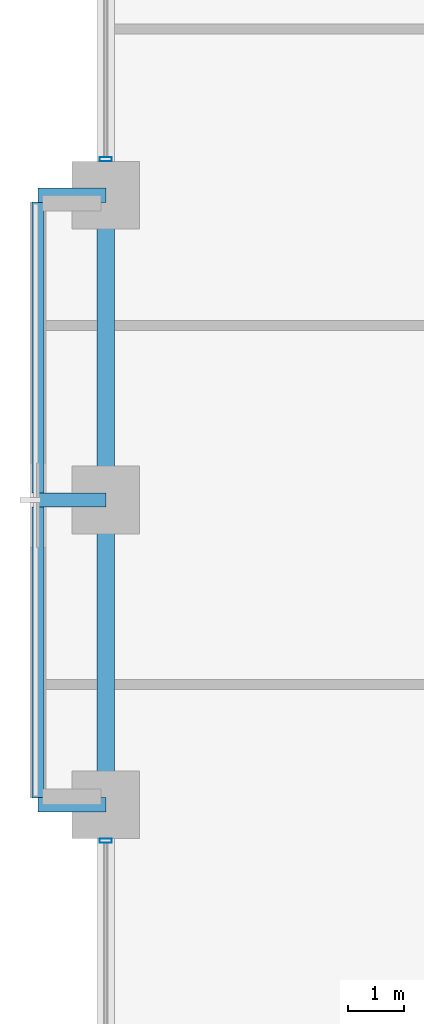
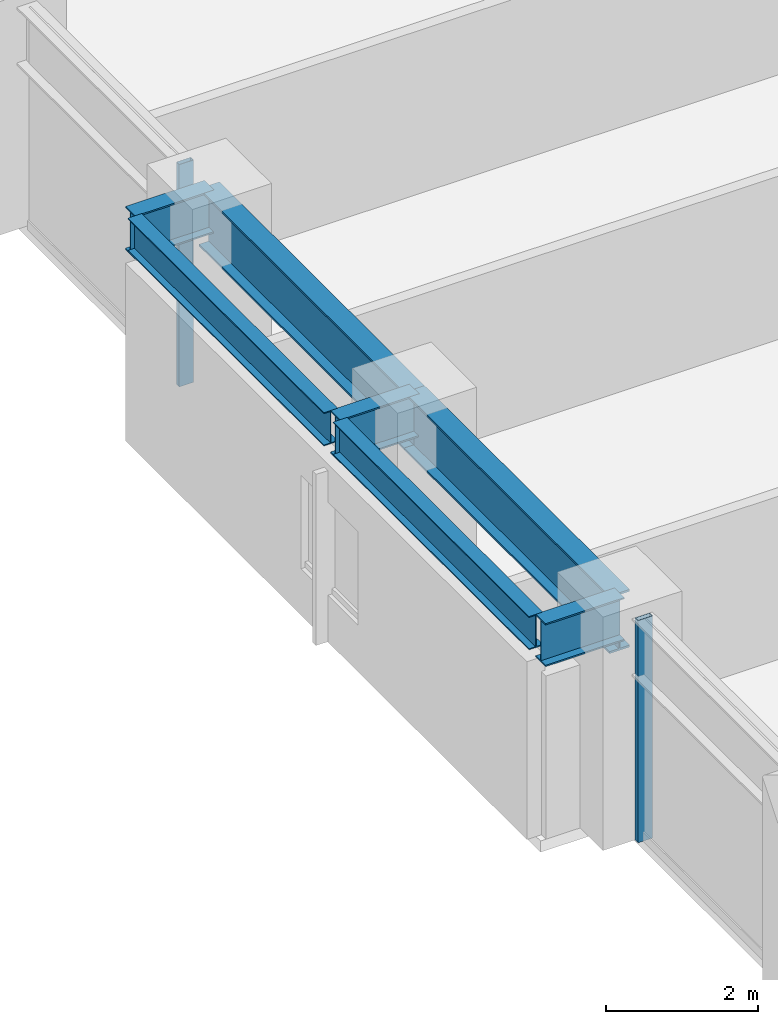
# One storey, part 6 of 27: 7 beams, 2 members, 2 elements without a shape of their own.
"""IFC4 building model written with IfcOpenShell, lengths in metres."""

from ifc_helpers import new_model, si_unit, direction, frame, origin, origin_2d, place, context, subcontext, project, spatial, hollow_rectangle, i_section, extrude, material, layer, layer_set, material_profile, profile_set, type_object, element, aggregate, save


model = new_model("IFC4")

# Units and contexts
model_context = context("Model", 3, precision=1e-05, world=origin(), true_north=direction((0.0, 1.0)))
body_context = subcontext(model_context, "Body", "Model", "MODEL_VIEW")
ifc_project = project(units=[si_unit("LENGTHUNIT", "METRE"), si_unit("AREAUNIT", "SQUARE_METRE"), si_unit("VOLUMEUNIT", "CUBIC_METRE"), si_unit("PLANEANGLEUNIT", "RADIAN"), si_unit("MASSUNIT", "GRAM", prefix="KILO")], contexts=[model_context])

# Site, building, storey
site_placement = place(None, origin())
site = spatial("IfcSite", under=ifc_project, at=site_placement, CompositionType="ELEMENT")
building_placement = place(site_placement, origin())
building = spatial("IfcBuilding", under=site, at=building_placement, Name="Surkhivell Harbour Commons", CompositionType="ELEMENT")
storey_placement = place(building_placement, frame((0.0, 0.0, 56.25)))
storey = spatial("IfcBuildingStorey", under=building, at=storey_placement, Name="L14", CompositionType="ELEMENT", Elevation=56.25)

# Beams
ifc_material_1 = material(Name="Steel S460", Category="steel")
ifc_material_profile_1 = material_profile(ifc_material_1, i_section(OverallWidth=0.256103515625, OverallDepth=0.693115234375, WebThickness=0.014404296875, FlangeThickness=0.023681640625, at=origin_2d()), Name="UB686x254x170")
ifc_profile_set_1 = profile_set([ifc_material_profile_1], Name="Steel S460")
beam_type_1 = type_object("IfcBeamType", Name="BM-CNT-686", PredefinedType="BEAM", material=ifc_profile_set_1)
for number, where, z_axis, x_axis, name in (
    (1, (-32.39990234375, -5.39990234375, 3.223388671875), (-1.0, 0.0, 0.0), (0.0, -1.0, 0.0), "L14 Box Cantilever Outrigger (-32.4,-5.4)"),
    (2, (-32.39990234375, 0.0, 3.223388671875), (-1.0, 0.0, 0.0), (0.0, -1.0, 0.0), "L14 Box Cantilever Outrigger (-32.4,0.0)"),
    (3, (-32.39990234375, 5.39990234375, 3.223388671875), (-1.0, 0.0, 0.0), (0.0, -1.0, 0.0), "L14 Box Cantilever Outrigger (-32.4,5.4)"),
):
    element("IfcBeam", number, at=place(storey_placement, frame(where, z_axis=z_axis, x_axis=x_axis)), inside=storey, type_object=beam_type_1, Name=name, PredefinedType="BEAM", context=body_context, shape_type="SweptSolid", body=[
        extrude(i_section(OverallWidth=0.256103515625, OverallDepth=0.693115234375, WebThickness=0.014404296875, FlangeThickness=0.023681640625, at=origin_2d()), origin(), (0.0, 0.0, 1.0), 1.2001953125),
    ])
ifc_material_2 = material(Name="Steel S355", Category="steel")
ifc_material_profile_2 = material_profile(ifc_material_2, i_section(OverallWidth=0.2099609375, OverallDepth=0.537109375, WebThickness=0.0107421875, FlangeThickness=0.017333984375, at=origin_2d()), Name="UB533x210x101")
ifc_profile_set_2 = profile_set([ifc_material_profile_2], Name="Steel S355")
beam_type_2 = type_object("IfcBeamType", Name="BM-GRD-533B", PredefinedType="BEAM", material=ifc_profile_set_2)
for number, where, z_axis, x_axis, name in (
    (4, (-33.60009765625, -5.278076171875, 3.301513671875), (0.0, 1.0, 0.0), (-1.0, 0.0, 0.0), "L14 Box Rim Spandrel (-33.6,-5.4)"),
    (5, (-33.60009765625, 0.1220703125, 3.301513671875), (0.0, 1.0, 0.0), (-1.0, 0.0, 0.0), "L14 Box Rim Spandrel (-33.6,0.0)"),
):
    element("IfcBeam", number, at=place(storey_placement, frame(where, z_axis=z_axis, x_axis=x_axis)), inside=storey, type_object=beam_type_2, Name=name, PredefinedType="BEAM", context=body_context, shape_type="SweptSolid", body=[
        extrude(i_section(OverallWidth=0.2099609375, OverallDepth=0.537109375, WebThickness=0.0107421875, FlangeThickness=0.017333984375, at=origin_2d()), origin(), (0.0, 0.0, 1.0), 5.156005859375),
    ])
ifc_material_profile_3 = material_profile(ifc_material_1, i_section(OverallWidth=0.30810546875, OverallDepth=0.927001953125, WebThickness=0.01953125, FlangeThickness=0.031982421875, at=origin_2d()), Name="UB914x305x289")
ifc_profile_set_3 = profile_set([ifc_material_profile_3], Name="Steel S460")
beam_type_3 = type_object("IfcBeamType", Name="BM-SPN-914B", PredefinedType="SPANDREL", material=ifc_profile_set_3)
for number, where, z_axis, x_axis, name in (
    (6, (-32.39990234375, -5.39990234375, 3.1064453125), (0.0, 1.0, 0.0), (-1.0, 0.0, 0.0), "L14 Tube Spandrel (-32.4,-5.4)"),
    (7, (-32.39990234375, 0.0, 3.1064453125), (0.0, 1.0, 0.0), (-1.0, 0.0, 0.0), "L14 Tube Spandrel (-32.4,0.0)"),
):
    element("IfcBeam", number, at=place(storey_placement, frame(where, z_axis=z_axis, x_axis=x_axis)), inside=storey, type_object=beam_type_3, Name=name, PredefinedType="SPANDREL", context=body_context, shape_type="SweptSolid", body=[
        extrude(i_section(OverallWidth=0.30810546875, OverallDepth=0.927001953125, WebThickness=0.01953125, FlangeThickness=0.031982421875, at=origin_2d()), origin(), (0.0, 0.0, 1.0), 5.39990234375),
    ])

# Curtain wall, member
ifc_material_3 = material(Name="Anodised pale-metal aluminium and insulated glazing", Category="aluminium")
ifc_layer = layer(ifc_material_3, 0.219970703125)
ifc_layer_set = layer_set([ifc_layer], Name="Anodised pale-metal aluminium and insulated glazing")
curtain_wall_type = type_object("IfcCurtainWallType", Name="CW-SYS-Z1", PredefinedType="NOTDEFINED", material=ifc_layer_set)
curtain_wall_1_placement = place(storey_placement, origin())
curtain_wall_1 = element("IfcCurtainWall", 8, at=curtain_wall_1_placement, inside=storey, type_object=curtain_wall_type, Name="L14 Curtain Wall CW-L14-E12R1S2", PredefinedType="NOTDEFINED")
ifc_material_4 = material(Name="Anodised pale-metal aluminium alloy 6063-T6", Category="aluminium")
ifc_material_profile_4 = material_profile(ifc_material_4, hollow_rectangle(XDim=0.074951171875, YDim=0.219970703125, WallThickness=0.00390625, at=origin_2d()), Name="ALU-MULL-75x220")
ifc_profile_set_4 = profile_set([ifc_material_profile_4], Name="Anodised pale-metal aluminium alloy 6063-T6")
member_type = type_object("IfcMemberType", Name="CWM-220", PredefinedType="MULLION", material=ifc_profile_set_4)
member_1_placement = place(storey_placement, frame((-32.39990234375, -6.03955078125, 0.0), z_axis=(0.0, 0.0, 1.0), x_axis=(0.0, 1.0, 0.0)))
member_1 = element("IfcMember", 9, at=member_1_placement, type_object=member_type, Name="CW-Z1 mullion 2", PredefinedType="MULLION", context=body_context, shape_type="SweptSolid", body=[
    extrude(hollow_rectangle(XDim=0.074951171875, YDim=0.219970703125, WallThickness=0.00390625, at=origin_2d()), origin(), (0.0, 0.0, 1.0), 3.570068359375),
])
aggregate(curtain_wall_1, [member_1])

curtain_wall_2_placement = place(storey_placement, origin())
curtain_wall_2 = element("IfcCurtainWall", 10, at=curtain_wall_2_placement, inside=storey, type_object=curtain_wall_type, Name="L14 Curtain Wall CW-L14-E12R2", PredefinedType="NOTDEFINED")
member_2_placement = place(storey_placement, frame((-32.39990234375, 6.03955078125, 0.0), z_axis=(0.0, 0.0, 1.0), x_axis=(0.0, 1.0, 0.0)))
member_2 = element("IfcMember", 11, at=member_2_placement, type_object=member_type, Name="CW-Z1 mullion 1", PredefinedType="MULLION", context=body_context, shape_type="SweptSolid", body=[
    extrude(hollow_rectangle(XDim=0.074951171875, YDim=0.219970703125, WallThickness=0.00390625, at=origin_2d()), origin(), (0.0, 0.0, 1.0), 3.570068359375),
])
aggregate(curtain_wall_2, [member_2])

save(model, "model.ifc")
